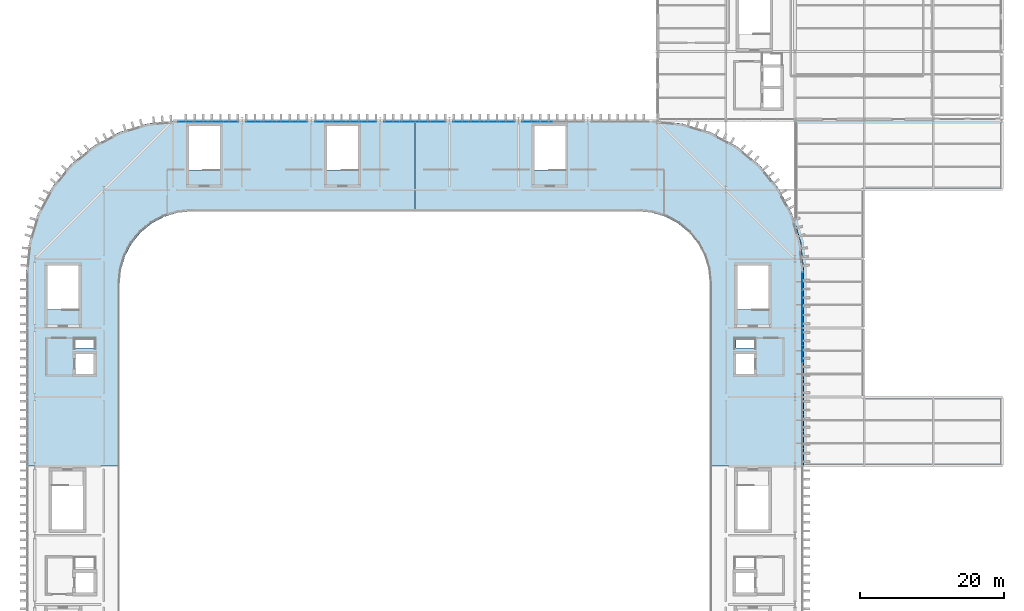
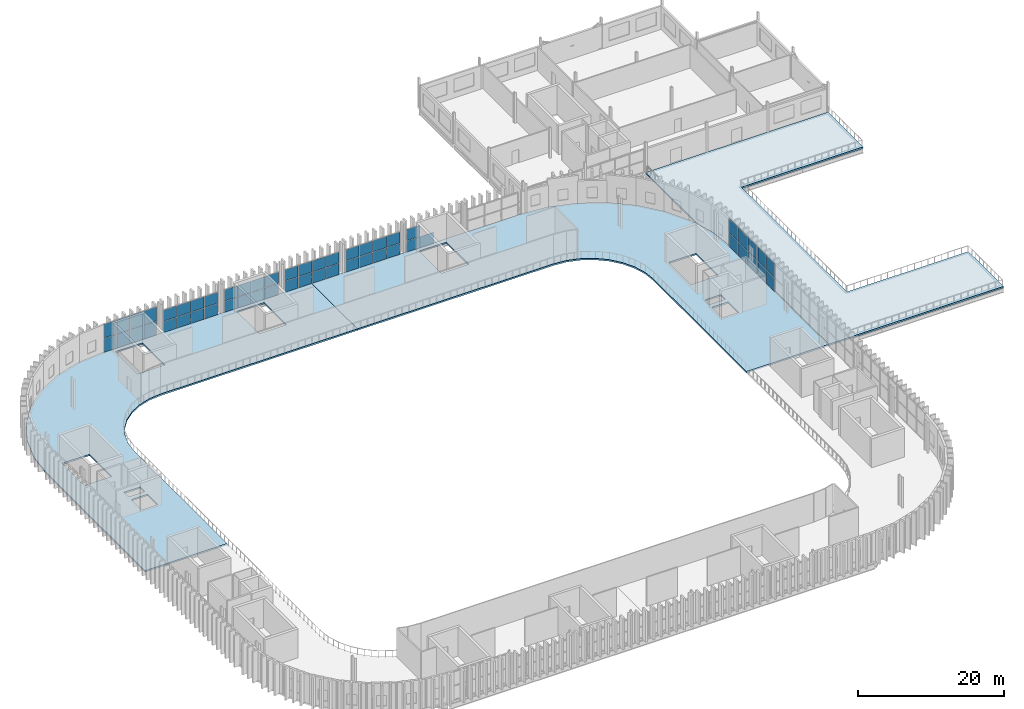
# One storey, part 28 of 45: 53 plates, 3 slabs, 8 elements without a shape of their own.
"""IFC4 building model written with IfcOpenShell, lengths in metres."""

from ifc_helpers import new_model, si_unit, direction, frame, origin, origin_2d, place, context, subcontext, project, spatial, polyline, rectangle, outline, extrude, material, layer, layer_set, type_object, element, aggregate, save


model = new_model("IFC4")

# Units and contexts
model_context = context("Model", 3, precision=1e-05, world=origin(), true_north=direction((0.0, 1.0)))
body_context = subcontext(model_context, "Body", "Model", "MODEL_VIEW")
ifc_project = project(units=[si_unit("LENGTHUNIT", "METRE"), si_unit("AREAUNIT", "SQUARE_METRE"), si_unit("VOLUMEUNIT", "CUBIC_METRE"), si_unit("PLANEANGLEUNIT", "RADIAN"), si_unit("MASSUNIT", "GRAM", prefix="KILO")], contexts=[model_context])

# Site, building, storey
site_placement = place(None, origin())
site = spatial("IfcSite", under=ifc_project, at=site_placement, CompositionType="ELEMENT")
building_placement = place(site_placement, origin())
building = spatial("IfcBuilding", under=site, at=building_placement, Name="Caelomonte Colonnade Arena", CompositionType="ELEMENT")
storey_placement = place(building_placement, frame((0.0, 0.0, 23.10009765625)))
storey = spatial("IfcBuildingStorey", under=building, at=storey_placement, Name="L05", CompositionType="ELEMENT", Elevation=23.10009765625)

# Curtain wall, plates
ifc_material_1 = material(Name="Bronze anodised aluminium and low-E glazing", Category="aluminium")
ifc_layer_1 = layer(ifc_material_1, 0.179931640625)
ifc_layer_set_1 = layer_set([ifc_layer_1], Name="Bronze anodised aluminium and low-E glazing")
curtain_wall_type_1 = type_object("IfcCurtainWallType", Name="ENV-CW-CW-L05-96-48", PredefinedType="USERDEFINED", material=ifc_layer_set_1)
curtain_wall_1_placement = place(storey_placement, origin())
curtain_wall_1 = element("IfcCurtainWall", 1, at=curtain_wall_1_placement, inside=storey, type_object=curtain_wall_type_1, Name="L05 unitized curtain wall CW-L05-1642-0816", ObjectType="UNITIZED CURTAIN WALL", PredefinedType="USERDEFINED")
ifc_material_2 = material(Name="Solar-control bronze low-E double glazing", Category="glass")
ifc_layer_2 = layer(ifc_material_2, 0.035888671875)
ifc_layer_set_2 = layer_set([ifc_layer_2], Name="Solar-control bronze low-E double glazing")
plate_type = type_object("IfcPlateType", Name="ENV-CW-PAN36", PredefinedType="CURTAIN_PANEL", material=ifc_layer_set_2)
plate_1_placement = place(storey_placement, frame((164.219970703125, 82.7900390625, 0.06982421875), z_axis=(0.0, 0.0, 1.0), x_axis=(0.0, 1.0, 0.0)))
plate_1 = element("IfcPlate", 2, at=plate_1_placement, type_object=plate_type, Name="CW-L05-96-48 panel 3.1", PredefinedType="CURTAIN_PANEL", context=body_context, shape_type="SweptSolid", body=[
    extrude(rectangle(XDim=2.31005859375, YDim=0.035888671875, at=origin_2d()), origin(), (0.0, 0.0, 1.0), 2.304931640625),
])
plate_2_placement = place(storey_placement, frame((164.219970703125, 82.7900390625, 2.44482421875), z_axis=(0.0, 0.0, 1.0), x_axis=(0.0, 1.0, 0.0)))
plate_2 = element("IfcPlate", 3, at=plate_2_placement, type_object=plate_type, Name="CW-L05-96-48 panel 3.2", PredefinedType="CURTAIN_PANEL", context=body_context, shape_type="SweptSolid", body=[
    extrude(rectangle(XDim=2.31005859375, YDim=0.035888671875, at=origin_2d()), origin(), (0.0, 0.0, 1.0), 2.304931640625),
])
plate_3_placement = place(storey_placement, frame((164.219970703125, 85.152587890625, 0.06982421875), z_axis=(0.0, 0.0, 1.0), x_axis=(0.0, 1.0, 0.0)))
plate_3 = element("IfcPlate", 4, at=plate_3_placement, type_object=plate_type, Name="CW-L05-96-48 panel 4.1", PredefinedType="CURTAIN_PANEL", context=body_context, shape_type="SweptSolid", body=[
    extrude(rectangle(XDim=2.27490234375, YDim=0.035888671875, at=origin_2d()), origin(), (0.0, 0.0, 1.0), 2.304931640625),
])
plate_4_placement = place(storey_placement, frame((164.219970703125, 85.152587890625, 2.44482421875), z_axis=(0.0, 0.0, 1.0), x_axis=(0.0, 1.0, 0.0)))
plate_4 = element("IfcPlate", 5, at=plate_4_placement, type_object=plate_type, Name="CW-L05-96-48 panel 4.2", PredefinedType="CURTAIN_PANEL", context=body_context, shape_type="SweptSolid", body=[
    extrude(rectangle(XDim=2.27490234375, YDim=0.035888671875, at=origin_2d()), origin(), (0.0, 0.0, 1.0), 2.304931640625),
])
aggregate(curtain_wall_1, [plate_1, plate_2, plate_3, plate_4])

ifc_layer_3 = layer(ifc_material_1, 0.179931640625)
ifc_layer_set_3 = layer_set([ifc_layer_3], Name="Bronze anodised aluminium and low-E glazing")
curtain_wall_type_2 = type_object("IfcCurtainWallType", Name="ENV-CW-CW-L05-79-48", PredefinedType="USERDEFINED", material=ifc_layer_set_3)
curtain_wall_2_placement = place(storey_placement, origin())
curtain_wall_2 = element("IfcCurtainWall", 6, at=curtain_wall_2_placement, inside=storey, type_object=curtain_wall_type_2, Name="L05 unitized curtain wall CW-L05-1642-0904", ObjectType="UNITIZED CURTAIN WALL", PredefinedType="USERDEFINED")
plate_5_placement = place(storey_placement, frame((164.219970703125, 87.744140625, 0.06982421875), z_axis=(0.0, 0.0, 1.0), x_axis=(0.0, 1.0, 0.0)))
plate_5 = element("IfcPlate", 7, at=plate_5_placement, type_object=plate_type, Name="CW-L05-79-48 panel 1.1", PredefinedType="CURTAIN_PANEL", context=body_context, shape_type="SweptSolid", body=[
    extrude(rectangle(XDim=2.46826171875, YDim=0.035888671875, at=origin_2d()), origin(), (0.0, 0.0, 1.0), 2.304931640625),
])
plate_6_placement = place(storey_placement, frame((164.219970703125, 87.744140625, 2.44482421875), z_axis=(0.0, 0.0, 1.0), x_axis=(0.0, 1.0, 0.0)))
plate_6 = element("IfcPlate", 8, at=plate_6_placement, type_object=plate_type, Name="CW-L05-79-48 panel 1.2", PredefinedType="CURTAIN_PANEL", context=body_context, shape_type="SweptSolid", body=[
    extrude(rectangle(XDim=2.46826171875, YDim=0.035888671875, at=origin_2d()), origin(), (0.0, 0.0, 1.0), 2.304931640625),
])
plate_7_placement = place(storey_placement, frame((164.219970703125, 90.300048828125, 0.06982421875), z_axis=(0.0, 0.0, 1.0), x_axis=(0.0, 1.0, 0.0)))
plate_7 = element("IfcPlate", 9, at=plate_7_placement, type_object=plate_type, Name="CW-L05-79-48 panel 2.1", PredefinedType="CURTAIN_PANEL", context=body_context, shape_type="SweptSolid", body=[
    extrude(rectangle(XDim=2.50341796875, YDim=0.035888671875, at=origin_2d()), origin(), (0.0, 0.0, 1.0), 2.304931640625),
])
plate_8_placement = place(storey_placement, frame((164.219970703125, 90.300048828125, 2.44482421875), z_axis=(0.0, 0.0, 1.0), x_axis=(0.0, 1.0, 0.0)))
plate_8 = element("IfcPlate", 10, at=plate_8_placement, type_object=plate_type, Name="CW-L05-79-48 panel 2.2", PredefinedType="CURTAIN_PANEL", context=body_context, shape_type="SweptSolid", body=[
    extrude(rectangle(XDim=2.50341796875, YDim=0.035888671875, at=origin_2d()), origin(), (0.0, 0.0, 1.0), 2.304931640625),
])
plate_9_placement = place(storey_placement, frame((164.219970703125, 92.855712890625, 0.06982421875), z_axis=(0.0, 0.0, 1.0), x_axis=(0.0, 1.0, 0.0)))
plate_9 = element("IfcPlate", 11, at=plate_9_placement, type_object=plate_type, Name="CW-L05-79-48 panel 3.1", PredefinedType="CURTAIN_PANEL", context=body_context, shape_type="SweptSolid", body=[
    extrude(rectangle(XDim=2.46826171875, YDim=0.035888671875, at=origin_2d()), origin(), (0.0, 0.0, 1.0), 2.304931640625),
])
plate_10_placement = place(storey_placement, frame((164.219970703125, 92.855712890625, 2.44482421875), z_axis=(0.0, 0.0, 1.0), x_axis=(0.0, 1.0, 0.0)))
plate_10 = element("IfcPlate", 12, at=plate_10_placement, type_object=plate_type, Name="CW-L05-79-48 panel 3.2", PredefinedType="CURTAIN_PANEL", context=body_context, shape_type="SweptSolid", body=[
    extrude(rectangle(XDim=2.46826171875, YDim=0.035888671875, at=origin_2d()), origin(), (0.0, 0.0, 1.0), 2.304931640625),
])
aggregate(curtain_wall_2, [plate_5, plate_6, plate_7, plate_8, plate_9, plate_10])

ifc_layer_4 = layer(ifc_material_1, 0.179931640625)
ifc_layer_set_4 = layer_set([ifc_layer_4], Name="Bronze anodised aluminium and low-E glazing")
curtain_wall_type_3 = type_object("IfcCurtainWallType", Name="ENV-CW-CW-L05-96-39", PredefinedType="USERDEFINED", material=ifc_layer_set_4)
curtain_wall_3_placement = place(storey_placement, origin())
curtain_wall_3 = element("IfcCurtainWall", 13, at=curtain_wall_3_placement, inside=storey, type_object=curtain_wall_type_3, Name="L05 unitized curtain wall CW-L05-1296-1150", ObjectType="UNITIZED CURTAIN WALL", PredefinedType="USERDEFINED")
plate_11_placement = place(storey_placement, frame((128.519287109375, 115.02001953125, 0.06982421875), z_axis=(0.0, 0.0, 1.0), x_axis=(-1.0, 0.0, 0.0)))
plate_11 = element("IfcPlate", 14, at=plate_11_placement, type_object=plate_type, Name="CW-L05-96-39 panel 3.1", PredefinedType="CURTAIN_PANEL", context=body_context, shape_type="SweptSolid", body=[
    extrude(rectangle(XDim=2.09130859375, YDim=0.035888671875, at=origin_2d()), origin(), (0.0, 0.0, 1.0), 1.841552734375),
])
plate_12_placement = place(storey_placement, frame((126.37548828125, 115.02001953125, 0.06982421875), z_axis=(0.0, 0.0, 1.0), x_axis=(-1.0, 0.0, 0.0)))
plate_12 = element("IfcPlate", 15, at=plate_12_placement, type_object=plate_type, Name="CW-L05-96-39 panel 4.1", PredefinedType="CURTAIN_PANEL", context=body_context, shape_type="SweptSolid", body=[
    extrude(rectangle(XDim=2.056396484375, YDim=0.035888671875, at=origin_2d()), origin(), (0.0, 0.0, 1.0), 1.841552734375),
])
plate_13_placement = place(storey_placement, frame((126.37548828125, 115.02001953125, 1.9814453125), z_axis=(0.0, 0.0, 1.0), x_axis=(-1.0, 0.0, 0.0)))
plate_13 = element("IfcPlate", 16, at=plate_13_placement, type_object=plate_type, Name="CW-L05-96-39 panel 4.2", PredefinedType="CURTAIN_PANEL", context=body_context, shape_type="SweptSolid", body=[
    extrude(rectangle(XDim=2.056396484375, YDim=0.035888671875, at=origin_2d()), origin(), (0.0, 0.0, 1.0), 1.84130859375),
])
aggregate(curtain_wall_3, [plate_11, plate_12, plate_13])

curtain_wall_4_placement = place(storey_placement, origin())
curtain_wall_4 = element("IfcCurtainWall", 17, at=curtain_wall_4_placement, inside=storey, type_object=curtain_wall_type_3, Name="L05 unitized curtain wall CW-L05-1200-1150", ObjectType="UNITIZED CURTAIN WALL", PredefinedType="USERDEFINED")
plate_14_placement = place(storey_placement, frame((123.224609375, 115.02001953125, 0.06982421875), z_axis=(0.0, 0.0, 1.0), x_axis=(-1.0, 0.0, 0.0)))
plate_14 = element("IfcPlate", 18, at=plate_14_placement, type_object=plate_type, Name="CW-L05-96-39 panel 1.1", PredefinedType="CURTAIN_PANEL", context=body_context, shape_type="SweptSolid", body=[
    extrude(rectangle(XDim=2.056396484375, YDim=0.035888671875, at=origin_2d()), origin(), (0.0, 0.0, 1.0), 1.841552734375),
])
plate_15_placement = place(storey_placement, frame((123.224609375, 115.02001953125, 1.9814453125), z_axis=(0.0, 0.0, 1.0), x_axis=(-1.0, 0.0, 0.0)))
plate_15 = element("IfcPlate", 19, at=plate_15_placement, type_object=plate_type, Name="CW-L05-96-39 panel 1.2", PredefinedType="CURTAIN_PANEL", context=body_context, shape_type="SweptSolid", body=[
    extrude(rectangle(XDim=2.056396484375, YDim=0.035888671875, at=origin_2d()), origin(), (0.0, 0.0, 1.0), 1.84130859375),
])
plate_16_placement = place(storey_placement, frame((121.080810546875, 115.02001953125, 0.06982421875), z_axis=(0.0, 0.0, 1.0), x_axis=(-1.0, 0.0, 0.0)))
plate_16 = element("IfcPlate", 20, at=plate_16_placement, type_object=plate_type, Name="CW-L05-96-39 panel 2.1", PredefinedType="CURTAIN_PANEL", context=body_context, shape_type="SweptSolid", body=[
    extrude(rectangle(XDim=2.09130859375, YDim=0.035888671875, at=origin_2d()), origin(), (0.0, 0.0, 1.0), 1.841552734375),
])
plate_17_placement = place(storey_placement, frame((121.080810546875, 115.02001953125, 1.9814453125), z_axis=(0.0, 0.0, 1.0), x_axis=(-1.0, 0.0, 0.0)))
plate_17 = element("IfcPlate", 21, at=plate_17_placement, type_object=plate_type, Name="CW-L05-96-39 panel 2.2", PredefinedType="CURTAIN_PANEL", context=body_context, shape_type="SweptSolid", body=[
    extrude(rectangle(XDim=2.09130859375, YDim=0.035888671875, at=origin_2d()), origin(), (0.0, 0.0, 1.0), 1.84130859375),
])
plate_18_placement = place(storey_placement, frame((118.919189453125, 115.02001953125, 0.06982421875), z_axis=(0.0, 0.0, 1.0), x_axis=(-1.0, 0.0, 0.0)))
plate_18 = element("IfcPlate", 22, at=plate_18_placement, type_object=plate_type, Name="CW-L05-96-39 panel 3.1", PredefinedType="CURTAIN_PANEL", context=body_context, shape_type="SweptSolid", body=[
    extrude(rectangle(XDim=2.09130859375, YDim=0.035888671875, at=origin_2d()), origin(), (0.0, 0.0, 1.0), 1.841552734375),
])
plate_19_placement = place(storey_placement, frame((118.919189453125, 115.02001953125, 1.9814453125), z_axis=(0.0, 0.0, 1.0), x_axis=(-1.0, 0.0, 0.0)))
plate_19 = element("IfcPlate", 23, at=plate_19_placement, type_object=plate_type, Name="CW-L05-96-39 panel 3.2", PredefinedType="CURTAIN_PANEL", context=body_context, shape_type="SweptSolid", body=[
    extrude(rectangle(XDim=2.09130859375, YDim=0.035888671875, at=origin_2d()), origin(), (0.0, 0.0, 1.0), 1.84130859375),
])
plate_20_placement = place(storey_placement, frame((116.775390625, 115.02001953125, 0.06982421875), z_axis=(0.0, 0.0, 1.0), x_axis=(-1.0, 0.0, 0.0)))
plate_20 = element("IfcPlate", 24, at=plate_20_placement, type_object=plate_type, Name="CW-L05-96-39 panel 4.1", PredefinedType="CURTAIN_PANEL", context=body_context, shape_type="SweptSolid", body=[
    extrude(rectangle(XDim=2.056396484375, YDim=0.035888671875, at=origin_2d()), origin(), (0.0, 0.0, 1.0), 1.841552734375),
])
plate_21_placement = place(storey_placement, frame((116.775390625, 115.02001953125, 1.9814453125), z_axis=(0.0, 0.0, 1.0), x_axis=(-1.0, 0.0, 0.0)))
plate_21 = element("IfcPlate", 25, at=plate_21_placement, type_object=plate_type, Name="CW-L05-96-39 panel 4.2", PredefinedType="CURTAIN_PANEL", context=body_context, shape_type="SweptSolid", body=[
    extrude(rectangle(XDim=2.056396484375, YDim=0.035888671875, at=origin_2d()), origin(), (0.0, 0.0, 1.0), 1.84130859375),
])
aggregate(curtain_wall_4, [plate_14, plate_15, plate_16, plate_17, plate_18, plate_19, plate_20, plate_21])

curtain_wall_5_placement = place(storey_placement, origin())
curtain_wall_5 = element("IfcCurtainWall", 26, at=curtain_wall_5_placement, inside=storey, type_object=curtain_wall_type_3, Name="L05 unitized curtain wall CW-L05-1104-1150", ObjectType="UNITIZED CURTAIN WALL", PredefinedType="USERDEFINED")
plate_22_placement = place(storey_placement, frame((113.62451171875, 115.02001953125, 0.06982421875), z_axis=(0.0, 0.0, 1.0), x_axis=(-1.0, 0.0, 0.0)))
plate_22 = element("IfcPlate", 27, at=plate_22_placement, type_object=plate_type, Name="CW-L05-96-39 panel 1.1", PredefinedType="CURTAIN_PANEL", context=body_context, shape_type="SweptSolid", body=[
    extrude(rectangle(XDim=2.056396484375, YDim=0.035888671875, at=origin_2d()), origin(), (0.0, 0.0, 1.0), 1.841552734375),
])
plate_23_placement = place(storey_placement, frame((113.62451171875, 115.02001953125, 1.9814453125), z_axis=(0.0, 0.0, 1.0), x_axis=(-1.0, 0.0, 0.0)))
plate_23 = element("IfcPlate", 28, at=plate_23_placement, type_object=plate_type, Name="CW-L05-96-39 panel 1.2", PredefinedType="CURTAIN_PANEL", context=body_context, shape_type="SweptSolid", body=[
    extrude(rectangle(XDim=2.056396484375, YDim=0.035888671875, at=origin_2d()), origin(), (0.0, 0.0, 1.0), 1.84130859375),
])
plate_24_placement = place(storey_placement, frame((111.480712890625, 115.02001953125, 0.06982421875), z_axis=(0.0, 0.0, 1.0), x_axis=(-1.0, 0.0, 0.0)))
plate_24 = element("IfcPlate", 29, at=plate_24_placement, type_object=plate_type, Name="CW-L05-96-39 panel 2.1", PredefinedType="CURTAIN_PANEL", context=body_context, shape_type="SweptSolid", body=[
    extrude(rectangle(XDim=2.09130859375, YDim=0.035888671875, at=origin_2d()), origin(), (0.0, 0.0, 1.0), 1.841552734375),
])
plate_25_placement = place(storey_placement, frame((111.480712890625, 115.02001953125, 1.9814453125), z_axis=(0.0, 0.0, 1.0), x_axis=(-1.0, 0.0, 0.0)))
plate_25 = element("IfcPlate", 30, at=plate_25_placement, type_object=plate_type, Name="CW-L05-96-39 panel 2.2", PredefinedType="CURTAIN_PANEL", context=body_context, shape_type="SweptSolid", body=[
    extrude(rectangle(XDim=2.09130859375, YDim=0.035888671875, at=origin_2d()), origin(), (0.0, 0.0, 1.0), 1.84130859375),
])
plate_26_placement = place(storey_placement, frame((109.3193359375, 115.02001953125, 0.06982421875), z_axis=(0.0, 0.0, 1.0), x_axis=(-1.0, 0.0, 0.0)))
plate_26 = element("IfcPlate", 31, at=plate_26_placement, type_object=plate_type, Name="CW-L05-96-39 panel 3.1", PredefinedType="CURTAIN_PANEL", context=body_context, shape_type="SweptSolid", body=[
    extrude(rectangle(XDim=2.09130859375, YDim=0.035888671875, at=origin_2d()), origin(), (0.0, 0.0, 1.0), 1.841552734375),
])
plate_27_placement = place(storey_placement, frame((109.3193359375, 115.02001953125, 1.9814453125), z_axis=(0.0, 0.0, 1.0), x_axis=(-1.0, 0.0, 0.0)))
plate_27 = element("IfcPlate", 32, at=plate_27_placement, type_object=plate_type, Name="CW-L05-96-39 panel 3.2", PredefinedType="CURTAIN_PANEL", context=body_context, shape_type="SweptSolid", body=[
    extrude(rectangle(XDim=2.09130859375, YDim=0.035888671875, at=origin_2d()), origin(), (0.0, 0.0, 1.0), 1.84130859375),
])
plate_28_placement = place(storey_placement, frame((107.17529296875, 115.02001953125, 0.06982421875), z_axis=(0.0, 0.0, 1.0), x_axis=(-1.0, 0.0, 0.0)))
plate_28 = element("IfcPlate", 33, at=plate_28_placement, type_object=plate_type, Name="CW-L05-96-39 panel 4.1", PredefinedType="CURTAIN_PANEL", context=body_context, shape_type="SweptSolid", body=[
    extrude(rectangle(XDim=2.056396484375, YDim=0.035888671875, at=origin_2d()), origin(), (0.0, 0.0, 1.0), 1.841552734375),
])
plate_29_placement = place(storey_placement, frame((107.17529296875, 115.02001953125, 1.9814453125), z_axis=(0.0, 0.0, 1.0), x_axis=(-1.0, 0.0, 0.0)))
plate_29 = element("IfcPlate", 34, at=plate_29_placement, type_object=plate_type, Name="CW-L05-96-39 panel 4.2", PredefinedType="CURTAIN_PANEL", context=body_context, shape_type="SweptSolid", body=[
    extrude(rectangle(XDim=2.056396484375, YDim=0.035888671875, at=origin_2d()), origin(), (0.0, 0.0, 1.0), 1.84130859375),
])
aggregate(curtain_wall_5, [plate_22, plate_23, plate_24, plate_25, plate_26, plate_27, plate_28, plate_29])

curtain_wall_6_placement = place(storey_placement, origin())
curtain_wall_6 = element("IfcCurtainWall", 35, at=curtain_wall_6_placement, inside=storey, type_object=curtain_wall_type_3, Name="L05 unitized curtain wall CW-L05-1008-1150", ObjectType="UNITIZED CURTAIN WALL", PredefinedType="USERDEFINED")
plate_30_placement = place(storey_placement, frame((104.024658203125, 115.02001953125, 0.06982421875), z_axis=(0.0, 0.0, 1.0), x_axis=(-1.0, 0.0, 0.0)))
plate_30 = element("IfcPlate", 36, at=plate_30_placement, type_object=plate_type, Name="CW-L05-96-39 panel 1.1", PredefinedType="CURTAIN_PANEL", context=body_context, shape_type="SweptSolid", body=[
    extrude(rectangle(XDim=2.056396484375, YDim=0.035888671875, at=origin_2d()), origin(), (0.0, 0.0, 1.0), 1.841552734375),
])
plate_31_placement = place(storey_placement, frame((104.024658203125, 115.02001953125, 1.9814453125), z_axis=(0.0, 0.0, 1.0), x_axis=(-1.0, 0.0, 0.0)))
plate_31 = element("IfcPlate", 37, at=plate_31_placement, type_object=plate_type, Name="CW-L05-96-39 panel 1.2", PredefinedType="CURTAIN_PANEL", context=body_context, shape_type="SweptSolid", body=[
    extrude(rectangle(XDim=2.056396484375, YDim=0.035888671875, at=origin_2d()), origin(), (0.0, 0.0, 1.0), 1.84130859375),
])
plate_32_placement = place(storey_placement, frame((101.880615234375, 115.02001953125, 0.06982421875), z_axis=(0.0, 0.0, 1.0), x_axis=(-1.0, 0.0, 0.0)))
plate_32 = element("IfcPlate", 38, at=plate_32_placement, type_object=plate_type, Name="CW-L05-96-39 panel 2.1", PredefinedType="CURTAIN_PANEL", context=body_context, shape_type="SweptSolid", body=[
    extrude(rectangle(XDim=2.09130859375, YDim=0.035888671875, at=origin_2d()), origin(), (0.0, 0.0, 1.0), 1.841552734375),
])
plate_33_placement = place(storey_placement, frame((101.880615234375, 115.02001953125, 1.9814453125), z_axis=(0.0, 0.0, 1.0), x_axis=(-1.0, 0.0, 0.0)))
plate_33 = element("IfcPlate", 39, at=plate_33_placement, type_object=plate_type, Name="CW-L05-96-39 panel 2.2", PredefinedType="CURTAIN_PANEL", context=body_context, shape_type="SweptSolid", body=[
    extrude(rectangle(XDim=2.09130859375, YDim=0.035888671875, at=origin_2d()), origin(), (0.0, 0.0, 1.0), 1.84130859375),
])
plate_34_placement = place(storey_placement, frame((99.71923828125, 115.02001953125, 0.06982421875), z_axis=(0.0, 0.0, 1.0), x_axis=(-1.0, 0.0, 0.0)))
plate_34 = element("IfcPlate", 40, at=plate_34_placement, type_object=plate_type, Name="CW-L05-96-39 panel 3.1", PredefinedType="CURTAIN_PANEL", context=body_context, shape_type="SweptSolid", body=[
    extrude(rectangle(XDim=2.09130859375, YDim=0.035888671875, at=origin_2d()), origin(), (0.0, 0.0, 1.0), 1.841552734375),
])
plate_35_placement = place(storey_placement, frame((99.71923828125, 115.02001953125, 1.9814453125), z_axis=(0.0, 0.0, 1.0), x_axis=(-1.0, 0.0, 0.0)))
plate_35 = element("IfcPlate", 41, at=plate_35_placement, type_object=plate_type, Name="CW-L05-96-39 panel 3.2", PredefinedType="CURTAIN_PANEL", context=body_context, shape_type="SweptSolid", body=[
    extrude(rectangle(XDim=2.09130859375, YDim=0.035888671875, at=origin_2d()), origin(), (0.0, 0.0, 1.0), 1.84130859375),
])
plate_36_placement = place(storey_placement, frame((97.575439453125, 115.02001953125, 0.06982421875), z_axis=(0.0, 0.0, 1.0), x_axis=(-1.0, 0.0, 0.0)))
plate_36 = element("IfcPlate", 42, at=plate_36_placement, type_object=plate_type, Name="CW-L05-96-39 panel 4.1", PredefinedType="CURTAIN_PANEL", context=body_context, shape_type="SweptSolid", body=[
    extrude(rectangle(XDim=2.056396484375, YDim=0.035888671875, at=origin_2d()), origin(), (0.0, 0.0, 1.0), 1.841552734375),
])
plate_37_placement = place(storey_placement, frame((97.575439453125, 115.02001953125, 1.9814453125), z_axis=(0.0, 0.0, 1.0), x_axis=(-1.0, 0.0, 0.0)))
plate_37 = element("IfcPlate", 43, at=plate_37_placement, type_object=plate_type, Name="CW-L05-96-39 panel 4.2", PredefinedType="CURTAIN_PANEL", context=body_context, shape_type="SweptSolid", body=[
    extrude(rectangle(XDim=2.056396484375, YDim=0.035888671875, at=origin_2d()), origin(), (0.0, 0.0, 1.0), 1.84130859375),
])
aggregate(curtain_wall_6, [plate_30, plate_31, plate_32, plate_33, plate_34, plate_35, plate_36, plate_37])

curtain_wall_7_placement = place(storey_placement, origin())
curtain_wall_7 = element("IfcCurtainWall", 44, at=curtain_wall_7_placement, inside=storey, type_object=curtain_wall_type_3, Name="L05 unitized curtain wall CW-L05-0912-1150", ObjectType="UNITIZED CURTAIN WALL", PredefinedType="USERDEFINED")
plate_38_placement = place(storey_placement, frame((94.424560546875, 115.02001953125, 0.06982421875), z_axis=(0.0, 0.0, 1.0), x_axis=(-1.0, 0.0, 0.0)))
plate_38 = element("IfcPlate", 45, at=plate_38_placement, type_object=plate_type, Name="CW-L05-96-39 panel 1.1", PredefinedType="CURTAIN_PANEL", context=body_context, shape_type="SweptSolid", body=[
    extrude(rectangle(XDim=2.056396484375, YDim=0.035888671875, at=origin_2d()), origin(), (0.0, 0.0, 1.0), 1.841552734375),
])
plate_39_placement = place(storey_placement, frame((94.424560546875, 115.02001953125, 1.9814453125), z_axis=(0.0, 0.0, 1.0), x_axis=(-1.0, 0.0, 0.0)))
plate_39 = element("IfcPlate", 46, at=plate_39_placement, type_object=plate_type, Name="CW-L05-96-39 panel 1.2", PredefinedType="CURTAIN_PANEL", context=body_context, shape_type="SweptSolid", body=[
    extrude(rectangle(XDim=2.056396484375, YDim=0.035888671875, at=origin_2d()), origin(), (0.0, 0.0, 1.0), 1.84130859375),
])
plate_40_placement = place(storey_placement, frame((92.28076171875, 115.02001953125, 0.06982421875), z_axis=(0.0, 0.0, 1.0), x_axis=(-1.0, 0.0, 0.0)))
plate_40 = element("IfcPlate", 47, at=plate_40_placement, type_object=plate_type, Name="CW-L05-96-39 panel 2.1", PredefinedType="CURTAIN_PANEL", context=body_context, shape_type="SweptSolid", body=[
    extrude(rectangle(XDim=2.09130859375, YDim=0.035888671875, at=origin_2d()), origin(), (0.0, 0.0, 1.0), 1.841552734375),
])
plate_41_placement = place(storey_placement, frame((92.28076171875, 115.02001953125, 1.9814453125), z_axis=(0.0, 0.0, 1.0), x_axis=(-1.0, 0.0, 0.0)))
plate_41 = element("IfcPlate", 48, at=plate_41_placement, type_object=plate_type, Name="CW-L05-96-39 panel 2.2", PredefinedType="CURTAIN_PANEL", context=body_context, shape_type="SweptSolid", body=[
    extrude(rectangle(XDim=2.09130859375, YDim=0.035888671875, at=origin_2d()), origin(), (0.0, 0.0, 1.0), 1.84130859375),
])
plate_42_placement = place(storey_placement, frame((90.119384765625, 115.02001953125, 0.06982421875), z_axis=(0.0, 0.0, 1.0), x_axis=(-1.0, 0.0, 0.0)))
plate_42 = element("IfcPlate", 49, at=plate_42_placement, type_object=plate_type, Name="CW-L05-96-39 panel 3.1", PredefinedType="CURTAIN_PANEL", context=body_context, shape_type="SweptSolid", body=[
    extrude(rectangle(XDim=2.09130859375, YDim=0.035888671875, at=origin_2d()), origin(), (0.0, 0.0, 1.0), 1.841552734375),
])
plate_43_placement = place(storey_placement, frame((90.119384765625, 115.02001953125, 1.9814453125), z_axis=(0.0, 0.0, 1.0), x_axis=(-1.0, 0.0, 0.0)))
plate_43 = element("IfcPlate", 50, at=plate_43_placement, type_object=plate_type, Name="CW-L05-96-39 panel 3.2", PredefinedType="CURTAIN_PANEL", context=body_context, shape_type="SweptSolid", body=[
    extrude(rectangle(XDim=2.09130859375, YDim=0.035888671875, at=origin_2d()), origin(), (0.0, 0.0, 1.0), 1.84130859375),
])
plate_44_placement = place(storey_placement, frame((87.975341796875, 115.02001953125, 0.06982421875), z_axis=(0.0, 0.0, 1.0), x_axis=(-1.0, 0.0, 0.0)))
plate_44 = element("IfcPlate", 51, at=plate_44_placement, type_object=plate_type, Name="CW-L05-96-39 panel 4.1", PredefinedType="CURTAIN_PANEL", context=body_context, shape_type="SweptSolid", body=[
    extrude(rectangle(XDim=2.056396484375, YDim=0.035888671875, at=origin_2d()), origin(), (0.0, 0.0, 1.0), 1.841552734375),
])
plate_45_placement = place(storey_placement, frame((87.975341796875, 115.02001953125, 1.9814453125), z_axis=(0.0, 0.0, 1.0), x_axis=(-1.0, 0.0, 0.0)))
plate_45 = element("IfcPlate", 52, at=plate_45_placement, type_object=plate_type, Name="CW-L05-96-39 panel 4.2", PredefinedType="CURTAIN_PANEL", context=body_context, shape_type="SweptSolid", body=[
    extrude(rectangle(XDim=2.056396484375, YDim=0.035888671875, at=origin_2d()), origin(), (0.0, 0.0, 1.0), 1.84130859375),
])
aggregate(curtain_wall_7, [plate_38, plate_39, plate_40, plate_41, plate_42, plate_43, plate_44, plate_45])

ifc_layer_5 = layer(ifc_material_1, 0.179931640625)
ifc_layer_set_5 = layer_set([ifc_layer_5], Name="Bronze anodised aluminium and low-E glazing")
curtain_wall_type_4 = type_object("IfcCurtainWallType", Name="ENV-CW-CW-L05-91-48", PredefinedType="USERDEFINED", material=ifc_layer_set_5)
curtain_wall_8_placement = place(storey_placement, origin())
curtain_wall_8 = element("IfcCurtainWall", 53, at=curtain_wall_8_placement, inside=storey, type_object=curtain_wall_type_4, Name="L05 unitized curtain wall CW-L05-0818-1150", ObjectType="UNITIZED CURTAIN WALL", PredefinedType="USERDEFINED")
plate_46_placement = place(storey_placement, frame((84.844970703125, 115.02001953125, 0.06982421875), z_axis=(0.0, 0.0, 1.0), x_axis=(-1.0, 0.0, 0.0)))
plate_46 = element("IfcPlate", 54, at=plate_46_placement, type_object=plate_type, Name="CW-L05-91-48 panel 1.1", PredefinedType="CURTAIN_PANEL", context=body_context, shape_type="SweptSolid", body=[
    extrude(rectangle(XDim=2.015625, YDim=0.035888671875, at=origin_2d()), origin(), (0.0, 0.0, 1.0), 2.304931640625),
])
plate_47_placement = place(storey_placement, frame((84.844970703125, 115.02001953125, 2.44482421875), z_axis=(0.0, 0.0, 1.0), x_axis=(-1.0, 0.0, 0.0)))
plate_47 = element("IfcPlate", 55, at=plate_47_placement, type_object=plate_type, Name="CW-L05-91-48 panel 1.2", PredefinedType="CURTAIN_PANEL", context=body_context, shape_type="SweptSolid", body=[
    extrude(rectangle(XDim=2.015625, YDim=0.035888671875, at=origin_2d()), origin(), (0.0, 0.0, 1.0), 2.304931640625),
])
plate_48_placement = place(storey_placement, frame((82.74169921875, 115.02001953125, 0.06982421875), z_axis=(0.0, 0.0, 1.0), x_axis=(-1.0, 0.0, 0.0)))
plate_48 = element("IfcPlate", 56, at=plate_48_placement, type_object=plate_type, Name="CW-L05-91-48 panel 2.1", PredefinedType="CURTAIN_PANEL", context=body_context, shape_type="SweptSolid", body=[
    extrude(rectangle(XDim=2.05078125, YDim=0.035888671875, at=origin_2d()), origin(), (0.0, 0.0, 1.0), 2.304931640625),
])
plate_49_placement = place(storey_placement, frame((82.74169921875, 115.02001953125, 2.44482421875), z_axis=(0.0, 0.0, 1.0), x_axis=(-1.0, 0.0, 0.0)))
plate_49 = element("IfcPlate", 57, at=plate_49_placement, type_object=plate_type, Name="CW-L05-91-48 panel 2.2", PredefinedType="CURTAIN_PANEL", context=body_context, shape_type="SweptSolid", body=[
    extrude(rectangle(XDim=2.05078125, YDim=0.035888671875, at=origin_2d()), origin(), (0.0, 0.0, 1.0), 2.304931640625),
])
plate_50_placement = place(storey_placement, frame((80.62109375, 115.02001953125, 0.06982421875), z_axis=(0.0, 0.0, 1.0), x_axis=(-1.0, 0.0, 0.0)))
plate_50 = element("IfcPlate", 58, at=plate_50_placement, type_object=plate_type, Name="CW-L05-91-48 panel 3.1", PredefinedType="CURTAIN_PANEL", context=body_context, shape_type="SweptSolid", body=[
    extrude(rectangle(XDim=2.05078125, YDim=0.035888671875, at=origin_2d()), origin(), (0.0, 0.0, 1.0), 2.304931640625),
])
plate_51_placement = place(storey_placement, frame((80.62109375, 115.02001953125, 2.44482421875), z_axis=(0.0, 0.0, 1.0), x_axis=(-1.0, 0.0, 0.0)))
plate_51 = element("IfcPlate", 59, at=plate_51_placement, type_object=plate_type, Name="CW-L05-91-48 panel 3.2", PredefinedType="CURTAIN_PANEL", context=body_context, shape_type="SweptSolid", body=[
    extrude(rectangle(XDim=2.05078125, YDim=0.035888671875, at=origin_2d()), origin(), (0.0, 0.0, 1.0), 2.304931640625),
])
plate_52_placement = place(storey_placement, frame((78.517822265625, 115.02001953125, 0.06982421875), z_axis=(0.0, 0.0, 1.0), x_axis=(-1.0, 0.0, 0.0)))
plate_52 = element("IfcPlate", 60, at=plate_52_placement, type_object=plate_type, Name="CW-L05-91-48 panel 4.1", PredefinedType="CURTAIN_PANEL", context=body_context, shape_type="SweptSolid", body=[
    extrude(rectangle(XDim=2.015625, YDim=0.035888671875, at=origin_2d()), origin(), (0.0, 0.0, 1.0), 2.304931640625),
])
plate_53_placement = place(storey_placement, frame((78.517822265625, 115.02001953125, 2.44482421875), z_axis=(0.0, 0.0, 1.0), x_axis=(-1.0, 0.0, 0.0)))
plate_53 = element("IfcPlate", 61, at=plate_53_placement, type_object=plate_type, Name="CW-L05-91-48 panel 4.2", PredefinedType="CURTAIN_PANEL", context=body_context, shape_type="SweptSolid", body=[
    extrude(rectangle(XDim=2.015625, YDim=0.035888671875, at=origin_2d()), origin(), (0.0, 0.0, 1.0), 2.304931640625),
])
aggregate(curtain_wall_8, [plate_46, plate_47, plate_48, plate_49, plate_50, plate_51, plate_52, plate_53])

# Slabs
ifc_material_3 = material(Name="Concrete C40/50", Category="concrete")
ifc_layer_6 = layer(ifc_material_3, 0.260009765625)
ifc_layer_set_6 = layer_set([ifc_layer_6], Name="Concrete C40/50")
slab_type_1 = type_object("IfcSlabType", Name="STR-SL-FLR26", PredefinedType="FLOOR", material=ifc_layer_set_6)
slab_1_placement = place(storey_placement, frame((0.0, 0.0, -0.260009765625)))
element("IfcSlab", 62, at=slab_1_placement, inside=storey, type_object=slab_type_1, Name="L05 structural floor slab SL-L05-V1-NE", PredefinedType="FLOOR", context=body_context, shape_type="SweptSolid", body=[
    extrude(outline(polyline([(143.39990234375, 115.199951171875), (110.39990234375, 115.199951171875), (110.39990234375, 102.60009765625), (141.39990234375, 102.60009765625), (143.350830078125, 102.407958984375), (145.226806640625, 101.8388671875), (146.955810546875, 100.914794921875), (148.47119140625, 99.671142578125), (149.714599609375, 98.15576171875), (150.638916015625, 96.4267578125), (151.2080078125, 94.55078125), (151.39990234375, 92.60009765625), (151.39990234375, 67.199951171875), (164.39990234375, 67.199951171875), (164.39990234375, 94.199951171875), (163.99658203125, 98.296875), (162.801513671875, 102.236328125), (160.86083984375, 105.866943359375), (158.249267578125, 109.04931640625), (155.06689453125, 111.660888671875), (151.436279296875, 113.6015625), (147.496826171875, 114.79638671875), (143.39990234375, 115.199951171875)]), holes=[polyline([(127.0, 108.35009765625), (127.0, 114.449951171875), (131.300048828125, 114.449951171875), (131.300048828125, 108.35009765625), (127.0, 108.35009765625)]), polyline([(154.97998046875, 79.97998046875), (154.97998046875, 82.820068359375), (157.52001953125, 82.820068359375), (157.52001953125, 79.97998046875), (154.97998046875, 79.97998046875)]), polyline([(157.52001953125, 83.580078125), (154.97998046875, 83.580078125), (154.97998046875, 84.820068359375), (157.52001953125, 84.820068359375), (157.52001953125, 83.580078125)]), polyline([(155.199951171875, 88.949951171875), (155.199951171875, 95.050048828125), (159.5, 95.050048828125), (159.5, 88.949951171875), (155.199951171875, 88.949951171875)])]), origin(), (0.0, 0.0, 1.0), 0.260009765625),
])
slab_2_placement = place(storey_placement, frame((0.0, 0.0, -0.260009765625)))
element("IfcSlab", 63, at=slab_2_placement, inside=storey, type_object=slab_type_1, Name="L05 structural floor slab SL-L05-V1-NW", PredefinedType="FLOOR", context=body_context, shape_type="SweptSolid", body=[
    extrude(outline(polyline([(56.39990234375, 94.199951171875), (56.39990234375, 67.199951171875), (69.39990234375, 67.199951171875), (69.39990234375, 92.60009765625), (69.592041015625, 94.55078125), (70.1611328125, 96.4267578125), (71.085205078125, 98.15576171875), (72.328857421875, 99.671142578125), (73.84423828125, 100.914794921875), (75.5732421875, 101.8388671875), (77.44921875, 102.407958984375), (79.39990234375, 102.60009765625), (110.39990234375, 102.60009765625), (110.39990234375, 115.199951171875), (77.39990234375, 115.199951171875), (73.302978515625, 114.79638671875), (69.363525390625, 113.6015625), (65.73291015625, 111.660888671875), (62.55078125, 109.04931640625), (59.939208984375, 105.866943359375), (57.99853515625, 102.236328125), (56.803466796875, 98.296875), (56.39990234375, 94.199951171875)]), holes=[polyline([(65.820068359375, 79.97998046875), (63.280029296875, 79.97998046875), (63.280029296875, 82.820068359375), (65.820068359375, 82.820068359375), (65.820068359375, 79.97998046875)]), polyline([(63.280029296875, 83.580078125), (63.280029296875, 84.820068359375), (65.820068359375, 84.820068359375), (65.820068359375, 83.580078125), (63.280029296875, 83.580078125)]), polyline([(59.39990234375, 88.949951171875), (59.39990234375, 95.050048828125), (63.699951171875, 95.050048828125), (63.699951171875, 88.949951171875), (59.39990234375, 88.949951171875)]), polyline([(83.300048828125, 108.35009765625), (79.0, 108.35009765625), (79.0, 114.449951171875), (83.300048828125, 114.449951171875), (83.300048828125, 108.35009765625)]), polyline([(98.199951171875, 108.35009765625), (98.199951171875, 114.449951171875), (102.5, 114.449951171875), (102.5, 108.35009765625), (98.199951171875, 108.35009765625)])]), origin(), (0.0, 0.0, 1.0), 0.260009765625),
])
ifc_layer_7 = layer(ifc_material_3, 0.260009765625)
ifc_layer_set_7 = layer_set([ifc_layer_7], Name="Concrete C40/50")
slab_type_2 = type_object("IfcSlabType", Name="STR-SL-TERR26", PredefinedType="ROOF", material=ifc_layer_set_7)
slab_3_placement = place(storey_placement, frame((0.0, 0.0, -0.260009765625)))
element("IfcSlab", 64, at=slab_3_placement, inside=storey, type_object=slab_type_2, Name="Media Sky Courtyard Terrace", PredefinedType="ROOF", context=body_context, shape_type="SweptSolid", body=[
    extrude(outline(polyline([(164.39990234375, 67.199951171875), (192.0, 67.199951171875), (192.0, 76.800048828125), (172.800048828125, 76.800048828125), (172.800048828125, 105.60009765625), (192.0, 105.60009765625), (192.0, 115.199951171875), (163.199951171875, 115.199951171875), (163.199951171875, 100.922607421875), (163.99658203125, 98.296875), (164.39990234375, 94.199951171875), (164.39990234375, 67.199951171875)])), origin(), (0.0, 0.0, 1.0), 0.260009765625),
])

save(model, "model.ifc")
